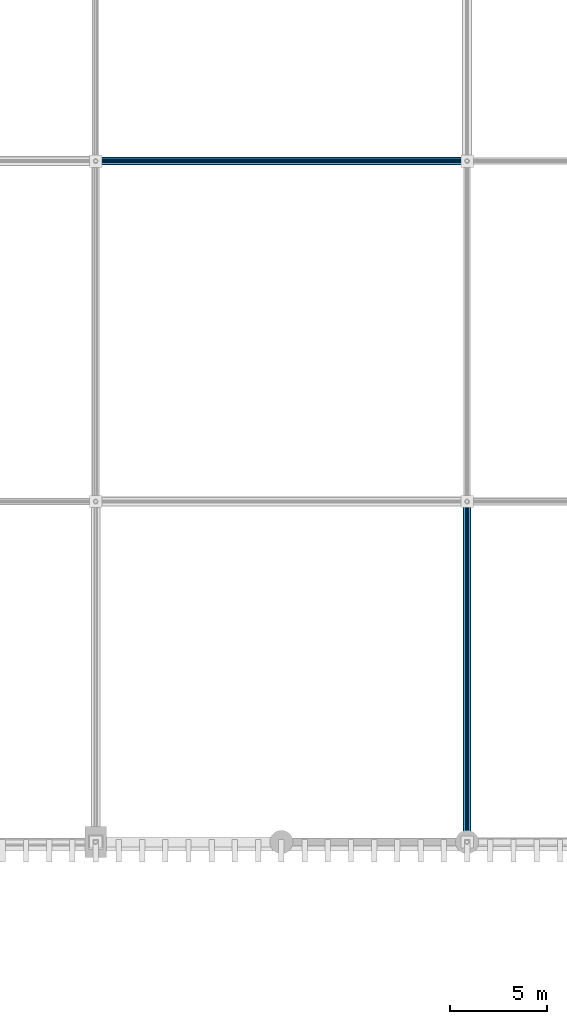
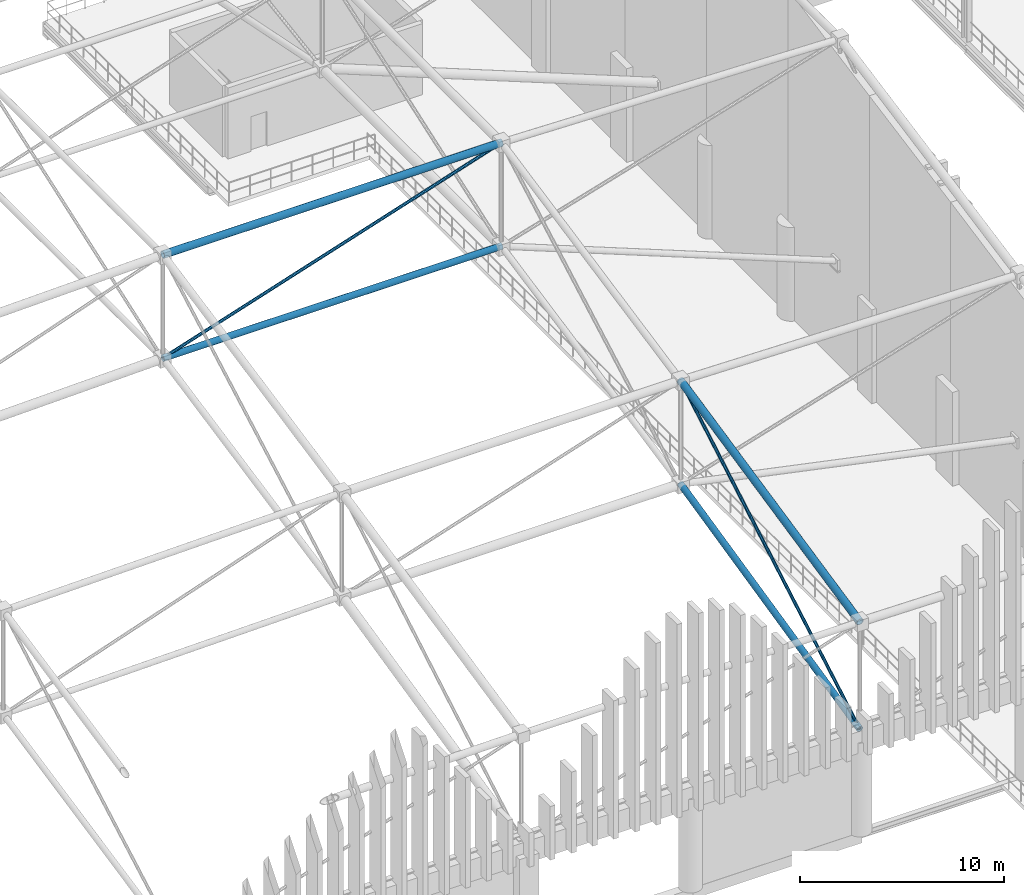
# One storey, part 62 of 193: 6 members.
"""IFC4 building model written with IfcOpenShell, lengths in metres."""

from ifc_helpers import new_model, si_unit, direction, frame, origin, origin_2d, place, context, subcontext, project, spatial, hollow_circle, extrude, material, material_profile, profile_set, type_object, element, save


model = new_model("IFC4")

# Units and contexts
model_context = context("Model", 3, precision=1e-05, world=origin(), true_north=direction((0.0, 1.0)))
body_context = subcontext(model_context, "Body", "Model", "MODEL_VIEW")
ifc_project = project(units=[si_unit("LENGTHUNIT", "METRE"), si_unit("AREAUNIT", "SQUARE_METRE"), si_unit("VOLUMEUNIT", "CUBIC_METRE"), si_unit("PLANEANGLEUNIT", "RADIAN"), si_unit("MASSUNIT", "GRAM", prefix="KILO")], contexts=[model_context])

# Site, building, storey
site_placement = place(None, origin())
site = spatial("IfcSite", under=ifc_project, at=site_placement, CompositionType="ELEMENT")
building_placement = place(site_placement, origin())
building = spatial("IfcBuilding", under=site, at=building_placement, Name="Danafjord Basin Convention Centre", CompositionType="ELEMENT")
storey_placement = place(building_placement, frame((0.0, 0.0, 11.39990234375)))
storey = spatial("IfcBuildingStorey", under=building, at=storey_placement, Name="L02", CompositionType="ELEMENT", Elevation=11.39990234375)

# Members
ifc_material = material(Name="Steel S355", Category="steel")
ifc_material_profile_1 = material_profile(ifc_material, hollow_circle(Radius=0.177734375, WallThickness=0.01611328125, at=origin_2d()), Name="CHS 355.6x16.0")
ifc_profile_set_1 = profile_set([ifc_material_profile_1], Name="Steel S355")
member_type_1 = type_object("IfcMemberType", Name="MEM-CH-CHS355", PredefinedType="CHORD", material=ifc_profile_set_1)
member_1_placement = place(storey_placement, frame((76.800048828125, 91.199951171875, 13.655517578125), z_axis=(1.0, 0.0, 0.0), x_axis=(0.0, 1.0, 0.0)))
element("IfcMember", 1, at=member_1_placement, inside=storey, type_object=member_type_1, Name="V1 roof truss longitudinal bottom chord", PredefinedType="CHORD", context=body_context, shape_type="SweptSolid", body=[
    extrude(hollow_circle(Radius=0.177734375, WallThickness=0.01611328125, at=origin_2d()), origin(), (0.0, 0.0, 1.0), 19.199951171875),
])
member_2_placement = place(storey_placement, frame((96.0, 56.0, 6.050048828125), z_axis=(0.0, 0.97488409866, 0.222712806503), x_axis=(-1.0, 0.0, 0.0)))
element("IfcMember", 2, at=member_2_placement, inside=storey, type_object=member_type_1, Name="V1 roof truss transverse bottom chord", PredefinedType="CHORD", context=body_context, shape_type="SweptSolid", body=[
    extrude(hollow_circle(Radius=0.177734375, WallThickness=0.01611328125, at=origin_2d()), origin(), (0.0, 0.0, 1.0), 18.053466796875),
])
ifc_material_profile_2 = material_profile(ifc_material, hollow_circle(Radius=0.203125, WallThickness=0.02001953125, at=origin_2d()), Name="CHS 406.4x20.0")
ifc_profile_set_2 = profile_set([ifc_material_profile_2], Name="Steel S355")
member_type_2 = type_object("IfcMemberType", Name="MEM-CH-CHS406", PredefinedType="CHORD", material=ifc_profile_set_2)
member_3_placement = place(storey_placement, frame((76.800048828125, 91.199951171875, 19.85546875), z_axis=(1.0, 0.0, 0.0), x_axis=(0.0, 1.0, 0.0)))
element("IfcMember", 3, at=member_3_placement, inside=storey, type_object=member_type_2, Name="V1 roof truss longitudinal top chord", PredefinedType="CHORD", context=body_context, shape_type="SweptSolid", body=[
    extrude(hollow_circle(Radius=0.203125, WallThickness=0.02001953125, at=origin_2d()), origin(), (0.0, 0.0, 1.0), 19.199951171875),
])
member_4_placement = place(storey_placement, frame((96.0, 56.0, 12.47509765625), z_axis=(0.0, 0.977523345498, 0.210827201773), x_axis=(-1.0, 0.0, 0.0)))
element("IfcMember", 4, at=member_4_placement, inside=storey, type_object=member_type_2, Name="V1 roof truss transverse top chord", PredefinedType="CHORD", context=body_context, shape_type="SweptSolid", body=[
    extrude(hollow_circle(Radius=0.203125, WallThickness=0.02001953125, at=origin_2d()), origin(), (0.0, 0.0, 1.0), 18.0048828125),
])
ifc_material_profile_3 = material_profile(ifc_material, hollow_circle(Radius=0.084228515625, WallThickness=0.008056640625, at=origin_2d()), Name="CHS 168.3x8.0")
ifc_profile_set_3 = profile_set([ifc_material_profile_3], Name="Steel S355")
member_type_3 = type_object("IfcMemberType", Name="MEM-WB-CHS168", PredefinedType="MEMBER", material=ifc_profile_set_3)
member_5_placement = place(storey_placement, frame((76.800048828125, 91.199951171875, 13.655517578125), z_axis=(0.951615625356, 0.0, 0.307290907086), x_axis=(0.0, 1.0, 0.0)))
element("IfcMember", 5, at=member_5_placement, inside=storey, type_object=member_type_3, Name="V1 space-frame longitudinal web", PredefinedType="MEMBER", context=body_context, shape_type="SweptSolid", body=[
    extrude(hollow_circle(Radius=0.084228515625, WallThickness=0.008056640625, at=origin_2d()), origin(), (0.0, 0.0, 1.0), 20.17626953125),
])
member_6_placement = place(storey_placement, frame((96.0, 56.0, 6.050048828125), z_axis=(0.0, 0.864756178829, 0.502191946548), x_axis=(-1.0, 0.0, 0.0)))
element("IfcMember", 6, at=member_6_placement, inside=storey, type_object=member_type_3, Name="V1 space-frame transverse web", PredefinedType="MEMBER", context=body_context, shape_type="SweptSolid", body=[
    extrude(hollow_circle(Radius=0.084228515625, WallThickness=0.008056640625, at=origin_2d()), origin(), (0.0, 0.0, 1.0), 20.352783203125),
])

save(model, "model.ifc")
